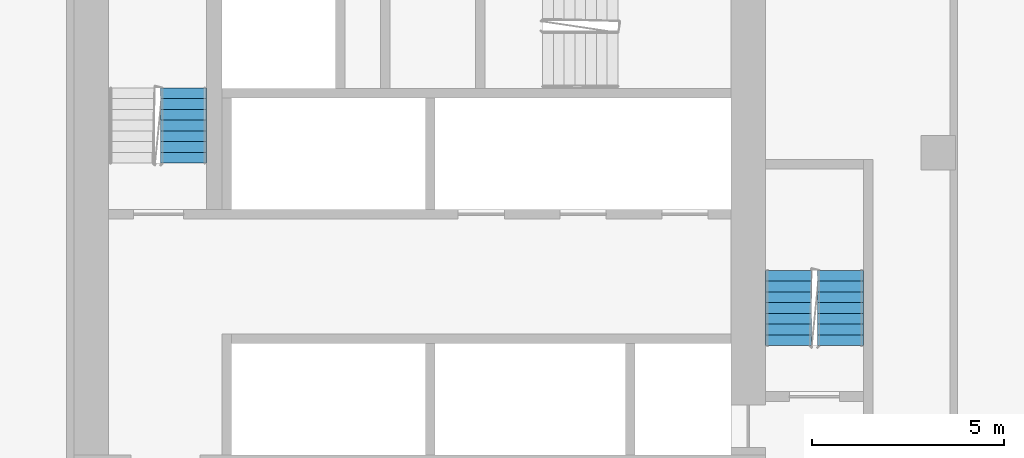
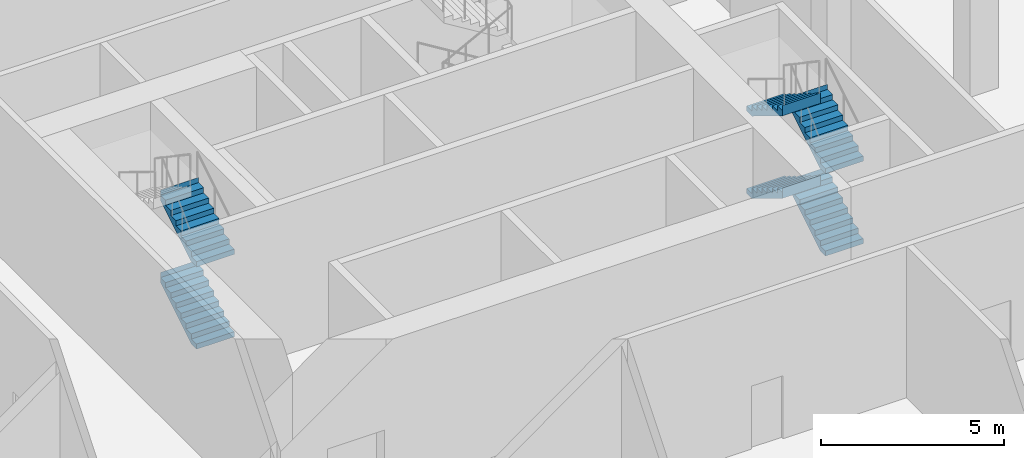
# One storey, part 17 of 21: 6 stair flights, 2 elements without a shape of their own.
"""IFC4 building model written with IfcOpenShell, lengths in metres."""

from ifc_helpers import new_model, si_unit, direction, frame, origin, place, context, subcontext, project, spatial, faceted_brep, material, type_object, element, aggregate, save


model = new_model("IFC4")

# Units and contexts
model_context = context("Model", 3, precision=1e-05, world=origin(), true_north=direction((0.0, 1.0)))
body_context = subcontext(model_context, "Body", "Model", "MODEL_VIEW")
ifc_project = project(units=[si_unit("LENGTHUNIT", "METRE"), si_unit("AREAUNIT", "SQUARE_METRE"), si_unit("VOLUMEUNIT", "CUBIC_METRE"), si_unit("PLANEANGLEUNIT", "RADIAN"), si_unit("MASSUNIT", "GRAM", prefix="KILO")], contexts=[model_context])

# Site, building, storey
site_placement = place(None, origin())
site = spatial("IfcSite", under=ifc_project, at=site_placement, CompositionType="ELEMENT")
building_placement = place(site_placement, origin())
building = spatial("IfcBuilding", under=site, at=building_placement, Name="Kajstack Hotel Tower", CompositionType="ELEMENT")
storey_placement = place(building_placement, frame((0.0, 0.0, 23.5)))
storey = spatial("IfcBuildingStorey", under=building, at=storey_placement, Name="L03", CompositionType="ELEMENT", Elevation=23.5)

# Stair, stair flights
ifc_material = material(Name="Concrete C40/50", Category="concrete")
stair_type = type_object("IfcStairType", Name="Exit stair 1200", PredefinedType="HALF_TURN_STAIR", material=ifc_material)
stair_1_placement = place(storey_placement, origin())
stair_1 = element("IfcStair", 1, at=stair_1_placement, inside=storey, type_object=stair_type, Name="L03 stair E1", PredefinedType="HALF_TURN_STAIR")
stair_flight_type = type_object("IfcStairFlightType", Name="Exit stair flight 1200", PredefinedType="STRAIGHT", material=ifc_material)
stair_flight_1_placement = place(storey_placement, frame((33.449951171875, 5.25, 0.0), z_axis=(0.0, 0.0, 1.0), x_axis=(0.0, 1.0, 0.0)))
stair_flight_1 = element("IfcStairFlight", 2, at=stair_flight_1_placement, type_object=stair_flight_type, Name="E1 flight 1", NumberOfRisers=8, NumberOfTreads=7, PredefinedType="STRAIGHT", RiserHeight=0.171875, TreadLength=0.28, context=body_context, shape_type="Brep", body=[
    faceted_brep([(0.287109375, -0.60009765625, 0.0), (1.96044921875, -0.60009765625, 1.02734375), (1.96044921875, -0.60009765625, 1.375), (1.9599609375, -0.60009765625, 1.375), (1.9599609375, -0.60009765625, 1.203125), (1.679931640625, -0.60009765625, 1.203125), (1.679931640625, -0.60009765625, 1.03125), (1.39990234375, -0.60009765625, 1.03125), (1.39990234375, -0.60009765625, 0.859375), (1.1201171875, -0.60009765625, 0.859375), (1.1201171875, -0.60009765625, 0.6875), (0.840087890625, -0.60009765625, 0.6875), (0.840087890625, -0.60009765625, 0.515625), (0.56005859375, -0.60009765625, 0.515625), (0.56005859375, -0.60009765625, 0.34375), (0.280029296875, -0.60009765625, 0.34375), (0.280029296875, -0.60009765625, 0.171875), (-0.00048828125, -0.60009765625, 0.171875), (-0.00048828125, -0.60009765625, 0.0), (-0.00048828125, 0.60009765625, 0.0), (-0.00048828125, 0.60009765625, 0.171875), (0.280029296875, 0.60009765625, 0.171875), (0.280029296875, 0.60009765625, 0.34375), (0.56005859375, 0.60009765625, 0.34375), (0.56005859375, 0.60009765625, 0.515625), (0.840087890625, 0.60009765625, 0.515625), (0.840087890625, 0.60009765625, 0.6875), (1.1201171875, 0.60009765625, 0.6875), (1.1201171875, 0.60009765625, 0.859375), (1.39990234375, 0.60009765625, 0.859375), (1.39990234375, 0.60009765625, 1.03125), (1.679931640625, 0.60009765625, 1.03125), (1.679931640625, 0.60009765625, 1.203125), (1.9599609375, 0.60009765625, 1.203125), (1.9599609375, 0.60009765625, 1.375), (1.96044921875, 0.60009765625, 1.375), (1.96044921875, 0.60009765625, 1.02734375), (0.287109375, 0.60009765625, 0.0), (-0.00048828125, -0.300048828125, 0.171875), (-0.00048828125, 0.0, 0.171875), (-0.00048828125, 0.300048828125, 0.171875), (-0.00048828125, 0.300048828125, 0.0), (-0.00048828125, 0.0, 0.0), (-0.00048828125, -0.300048828125, 0.0), (0.280029296875, -0.300048828125, 0.171875), (0.280029296875, 0.0, 0.171875), (0.280029296875, 0.300048828125, 0.171875), (0.280029296875, -0.300048828125, 0.34375), (0.280029296875, 0.0, 0.34375), (0.280029296875, 0.300048828125, 0.34375), (0.56005859375, -0.300048828125, 0.34375), (0.56005859375, 0.0, 0.34375), (0.56005859375, 0.300048828125, 0.34375), (0.56005859375, -0.300048828125, 0.515625), (0.56005859375, 0.0, 0.515625), (0.56005859375, 0.300048828125, 0.515625), (0.840087890625, -0.300048828125, 0.515625), (0.840087890625, 0.0, 0.515625), (0.840087890625, 0.300048828125, 0.515625), (0.840087890625, -0.300048828125, 0.6875), (0.840087890625, 0.0, 0.6875), (0.840087890625, 0.300048828125, 0.6875), (1.1201171875, -0.300048828125, 0.6875), (1.1201171875, 0.0, 0.6875), (1.1201171875, 0.300048828125, 0.6875), (1.1201171875, -0.300048828125, 0.859375), (1.1201171875, 0.0, 0.859375), (1.1201171875, 0.300048828125, 0.859375), (1.39990234375, -0.300048828125, 0.859375), (1.39990234375, 0.0, 0.859375), (1.39990234375, 0.300048828125, 0.859375), (1.39990234375, -0.300048828125, 1.03125), (1.39990234375, 0.0, 1.03125), (1.39990234375, 0.300048828125, 1.03125), (1.679931640625, -0.300048828125, 1.03125), (1.679931640625, 0.0, 1.03125), (1.679931640625, 0.300048828125, 1.03125), (1.679931640625, -0.300048828125, 1.203125), (1.679931640625, 0.0, 1.203125), (1.679931640625, 0.300048828125, 1.203125), (1.9599609375, -0.300048828125, 1.203125), (1.9599609375, 0.0, 1.203125), (1.9599609375, 0.300048828125, 1.203125), (1.9599609375, -0.300048828125, 1.375), (1.9599609375, 0.0, 1.375), (1.9599609375, 0.300048828125, 1.375), (1.96044921875, -0.300048828125, 1.375), (1.96044921875, 0.0, 1.375), (1.96044921875, 0.300048828125, 1.375), (1.96044921875, -0.300048828125, 1.02734375), (1.96044921875, 0.0, 1.02734375), (1.96044921875, 0.300048828125, 1.02734375), (0.287109375, -0.300048828125, 0.0), (0.287109375, 0.0, 0.0), (0.287109375, 0.300048828125, 0.0)], [[[0, 1, 2, 3, 4, 5, 6, 7, 8, 9, 10, 11, 12, 13, 14, 15, 16, 17, 18]], [[19, 20, 21, 22, 23, 24, 25, 26, 27, 28, 29, 30, 31, 32, 33, 34, 35, 36, 37]], [[17, 38, 39, 40, 20, 19, 41, 42, 43, 18]], [[16, 44, 45, 46, 21, 20, 40, 39, 38, 17]], [[15, 47, 48, 49, 22, 21, 46, 45, 44, 16]], [[14, 50, 51, 52, 23, 22, 49, 48, 47, 15]], [[13, 53, 54, 55, 24, 23, 52, 51, 50, 14]], [[12, 56, 57, 58, 25, 24, 55, 54, 53, 13]], [[11, 59, 60, 61, 26, 25, 58, 57, 56, 12]], [[10, 62, 63, 64, 27, 26, 61, 60, 59, 11]], [[9, 65, 66, 67, 28, 27, 64, 63, 62, 10]], [[8, 68, 69, 70, 29, 28, 67, 66, 65, 9]], [[7, 71, 72, 73, 30, 29, 70, 69, 68, 8]], [[6, 74, 75, 76, 31, 30, 73, 72, 71, 7]], [[5, 77, 78, 79, 32, 31, 76, 75, 74, 6]], [[4, 80, 81, 82, 33, 32, 79, 78, 77, 5]], [[3, 83, 84, 85, 34, 33, 82, 81, 80, 4]], [[2, 86, 87, 88, 35, 34, 85, 84, 83, 3]], [[1, 89, 90, 91, 36, 35, 88, 87, 86, 2]], [[0, 92, 93, 94, 37, 36, 91, 90, 89, 1]], [[18, 43, 42, 41, 19, 37, 94, 93, 92, 0]]]),
])
stair_flight_2_placement = place(storey_placement, frame((32.10009765625, 7.2099609375, 1.375), z_axis=(0.0, 0.0, 1.0), x_axis=(0.0, -1.0, 0.0)))
stair_flight_2 = element("IfcStairFlight", 3, at=stair_flight_2_placement, type_object=stair_flight_type, Name="E1 flight 2", NumberOfRisers=8, NumberOfTreads=7, PredefinedType="STRAIGHT", RiserHeight=0.171875, TreadLength=0.28, context=body_context, shape_type="Brep", body=[
    faceted_brep([(0.287109375, -0.60009765625, 0.0), (1.96044921875, -0.60009765625, 1.02734375), (1.96044921875, -0.60009765625, 1.375), (1.9599609375, -0.60009765625, 1.375), (1.9599609375, -0.60009765625, 1.203125), (1.679931640625, -0.60009765625, 1.203125), (1.679931640625, -0.60009765625, 1.03125), (1.39990234375, -0.60009765625, 1.03125), (1.39990234375, -0.60009765625, 0.859375), (1.1201171875, -0.60009765625, 0.859375), (1.1201171875, -0.60009765625, 0.6875), (0.840087890625, -0.60009765625, 0.6875), (0.840087890625, -0.60009765625, 0.515625), (0.56005859375, -0.60009765625, 0.515625), (0.56005859375, -0.60009765625, 0.34375), (0.280029296875, -0.60009765625, 0.34375), (0.280029296875, -0.60009765625, 0.171875), (-0.00048828125, -0.60009765625, 0.171875), (-0.00048828125, -0.60009765625, 0.0), (-0.00048828125, 0.60009765625, 0.0), (-0.00048828125, 0.60009765625, 0.171875), (0.280029296875, 0.60009765625, 0.171875), (0.280029296875, 0.60009765625, 0.34375), (0.56005859375, 0.60009765625, 0.34375), (0.56005859375, 0.60009765625, 0.515625), (0.840087890625, 0.60009765625, 0.515625), (0.840087890625, 0.60009765625, 0.6875), (1.1201171875, 0.60009765625, 0.6875), (1.1201171875, 0.60009765625, 0.859375), (1.39990234375, 0.60009765625, 0.859375), (1.39990234375, 0.60009765625, 1.03125), (1.679931640625, 0.60009765625, 1.03125), (1.679931640625, 0.60009765625, 1.203125), (1.9599609375, 0.60009765625, 1.203125), (1.9599609375, 0.60009765625, 1.375), (1.96044921875, 0.60009765625, 1.375), (1.96044921875, 0.60009765625, 1.02734375), (0.287109375, 0.60009765625, 0.0), (-0.00048828125, -0.300048828125, 0.171875), (-0.00048828125, 0.0, 0.171875), (-0.00048828125, 0.300048828125, 0.171875), (-0.00048828125, 0.300048828125, 0.0), (-0.00048828125, 0.0, 0.0), (-0.00048828125, -0.300048828125, 0.0), (0.280029296875, -0.300048828125, 0.171875), (0.280029296875, 0.0, 0.171875), (0.280029296875, 0.300048828125, 0.171875), (0.280029296875, -0.300048828125, 0.34375), (0.280029296875, 0.0, 0.34375), (0.280029296875, 0.300048828125, 0.34375), (0.56005859375, -0.300048828125, 0.34375), (0.56005859375, 0.0, 0.34375), (0.56005859375, 0.300048828125, 0.34375), (0.56005859375, -0.300048828125, 0.515625), (0.56005859375, 0.0, 0.515625), (0.56005859375, 0.300048828125, 0.515625), (0.840087890625, -0.300048828125, 0.515625), (0.840087890625, 0.0, 0.515625), (0.840087890625, 0.300048828125, 0.515625), (0.840087890625, -0.300048828125, 0.6875), (0.840087890625, 0.0, 0.6875), (0.840087890625, 0.300048828125, 0.6875), (1.1201171875, -0.300048828125, 0.6875), (1.1201171875, 0.0, 0.6875), (1.1201171875, 0.300048828125, 0.6875), (1.1201171875, -0.300048828125, 0.859375), (1.1201171875, 0.0, 0.859375), (1.1201171875, 0.300048828125, 0.859375), (1.39990234375, -0.300048828125, 0.859375), (1.39990234375, 0.0, 0.859375), (1.39990234375, 0.300048828125, 0.859375), (1.39990234375, -0.300048828125, 1.03125), (1.39990234375, 0.0, 1.03125), (1.39990234375, 0.300048828125, 1.03125), (1.679931640625, -0.300048828125, 1.03125), (1.679931640625, 0.0, 1.03125), (1.679931640625, 0.300048828125, 1.03125), (1.679931640625, -0.300048828125, 1.203125), (1.679931640625, 0.0, 1.203125), (1.679931640625, 0.300048828125, 1.203125), (1.9599609375, -0.300048828125, 1.203125), (1.9599609375, 0.0, 1.203125), (1.9599609375, 0.300048828125, 1.203125), (1.9599609375, -0.300048828125, 1.375), (1.9599609375, 0.0, 1.375), (1.9599609375, 0.300048828125, 1.375), (1.96044921875, -0.300048828125, 1.375), (1.96044921875, 0.0, 1.375), (1.96044921875, 0.300048828125, 1.375), (1.96044921875, -0.300048828125, 1.02734375), (1.96044921875, 0.0, 1.02734375), (1.96044921875, 0.300048828125, 1.02734375), (0.287109375, -0.300048828125, 0.0), (0.287109375, 0.0, 0.0), (0.287109375, 0.300048828125, 0.0)], [[[0, 1, 2, 3, 4, 5, 6, 7, 8, 9, 10, 11, 12, 13, 14, 15, 16, 17, 18]], [[19, 20, 21, 22, 23, 24, 25, 26, 27, 28, 29, 30, 31, 32, 33, 34, 35, 36, 37]], [[17, 38, 39, 40, 20, 19, 41, 42, 43, 18]], [[16, 44, 45, 46, 21, 20, 40, 39, 38, 17]], [[15, 47, 48, 49, 22, 21, 46, 45, 44, 16]], [[14, 50, 51, 52, 23, 22, 49, 48, 47, 15]], [[13, 53, 54, 55, 24, 23, 52, 51, 50, 14]], [[12, 56, 57, 58, 25, 24, 55, 54, 53, 13]], [[11, 59, 60, 61, 26, 25, 58, 57, 56, 12]], [[10, 62, 63, 64, 27, 26, 61, 60, 59, 11]], [[9, 65, 66, 67, 28, 27, 64, 63, 62, 10]], [[8, 68, 69, 70, 29, 28, 67, 66, 65, 9]], [[7, 71, 72, 73, 30, 29, 70, 69, 68, 8]], [[6, 74, 75, 76, 31, 30, 73, 72, 71, 7]], [[5, 77, 78, 79, 32, 31, 76, 75, 74, 6]], [[4, 80, 81, 82, 33, 32, 79, 78, 77, 5]], [[3, 83, 84, 85, 34, 33, 82, 81, 80, 4]], [[2, 86, 87, 88, 35, 34, 85, 84, 83, 3]], [[1, 89, 90, 91, 36, 35, 88, 87, 86, 2]], [[0, 92, 93, 94, 37, 36, 91, 90, 89, 1]], [[18, 43, 42, 41, 19, 37, 94, 93, 92, 0]]]),
])
stair_flight_3_placement = place(storey_placement, frame((33.449951171875, 5.25, 2.75), z_axis=(0.0, 0.0, 1.0), x_axis=(0.0, 1.0, 0.0)))
stair_flight_3 = element("IfcStairFlight", 4, at=stair_flight_3_placement, type_object=stair_flight_type, Name="E1 flight 3", NumberOfRisers=8, NumberOfTreads=7, PredefinedType="STRAIGHT", RiserHeight=0.171875, TreadLength=0.28, context=body_context, shape_type="Brep", body=[
    faceted_brep([(0.287109375, -0.60009765625, 0.0), (1.96044921875, -0.60009765625, 1.02734375), (1.96044921875, -0.60009765625, 1.375), (1.9599609375, -0.60009765625, 1.375), (1.9599609375, -0.60009765625, 1.203125), (1.679931640625, -0.60009765625, 1.203125), (1.679931640625, -0.60009765625, 1.03125), (1.39990234375, -0.60009765625, 1.03125), (1.39990234375, -0.60009765625, 0.859375), (1.1201171875, -0.60009765625, 0.859375), (1.1201171875, -0.60009765625, 0.6875), (0.840087890625, -0.60009765625, 0.6875), (0.840087890625, -0.60009765625, 0.515625), (0.56005859375, -0.60009765625, 0.515625), (0.56005859375, -0.60009765625, 0.34375), (0.280029296875, -0.60009765625, 0.34375), (0.280029296875, -0.60009765625, 0.171875), (-0.00048828125, -0.60009765625, 0.171875), (-0.00048828125, -0.60009765625, 0.0), (-0.00048828125, 0.60009765625, 0.0), (-0.00048828125, 0.60009765625, 0.171875), (0.280029296875, 0.60009765625, 0.171875), (0.280029296875, 0.60009765625, 0.34375), (0.56005859375, 0.60009765625, 0.34375), (0.56005859375, 0.60009765625, 0.515625), (0.840087890625, 0.60009765625, 0.515625), (0.840087890625, 0.60009765625, 0.6875), (1.1201171875, 0.60009765625, 0.6875), (1.1201171875, 0.60009765625, 0.859375), (1.39990234375, 0.60009765625, 0.859375), (1.39990234375, 0.60009765625, 1.03125), (1.679931640625, 0.60009765625, 1.03125), (1.679931640625, 0.60009765625, 1.203125), (1.9599609375, 0.60009765625, 1.203125), (1.9599609375, 0.60009765625, 1.375), (1.96044921875, 0.60009765625, 1.375), (1.96044921875, 0.60009765625, 1.02734375), (0.287109375, 0.60009765625, 0.0), (-0.00048828125, -0.300048828125, 0.171875), (-0.00048828125, 0.0, 0.171875), (-0.00048828125, 0.300048828125, 0.171875), (-0.00048828125, 0.300048828125, 0.0), (-0.00048828125, 0.0, 0.0), (-0.00048828125, -0.300048828125, 0.0), (0.280029296875, -0.300048828125, 0.171875), (0.280029296875, 0.0, 0.171875), (0.280029296875, 0.300048828125, 0.171875), (0.280029296875, -0.300048828125, 0.34375), (0.280029296875, 0.0, 0.34375), (0.280029296875, 0.300048828125, 0.34375), (0.56005859375, -0.300048828125, 0.34375), (0.56005859375, 0.0, 0.34375), (0.56005859375, 0.300048828125, 0.34375), (0.56005859375, -0.300048828125, 0.515625), (0.56005859375, 0.0, 0.515625), (0.56005859375, 0.300048828125, 0.515625), (0.840087890625, -0.300048828125, 0.515625), (0.840087890625, 0.0, 0.515625), (0.840087890625, 0.300048828125, 0.515625), (0.840087890625, -0.300048828125, 0.6875), (0.840087890625, 0.0, 0.6875), (0.840087890625, 0.300048828125, 0.6875), (1.1201171875, -0.300048828125, 0.6875), (1.1201171875, 0.0, 0.6875), (1.1201171875, 0.300048828125, 0.6875), (1.1201171875, -0.300048828125, 0.859375), (1.1201171875, 0.0, 0.859375), (1.1201171875, 0.300048828125, 0.859375), (1.39990234375, -0.300048828125, 0.859375), (1.39990234375, 0.0, 0.859375), (1.39990234375, 0.300048828125, 0.859375), (1.39990234375, -0.300048828125, 1.03125), (1.39990234375, 0.0, 1.03125), (1.39990234375, 0.300048828125, 1.03125), (1.679931640625, -0.300048828125, 1.03125), (1.679931640625, 0.0, 1.03125), (1.679931640625, 0.300048828125, 1.03125), (1.679931640625, -0.300048828125, 1.203125), (1.679931640625, 0.0, 1.203125), (1.679931640625, 0.300048828125, 1.203125), (1.9599609375, -0.300048828125, 1.203125), (1.9599609375, 0.0, 1.203125), (1.9599609375, 0.300048828125, 1.203125), (1.9599609375, -0.300048828125, 1.375), (1.9599609375, 0.0, 1.375), (1.9599609375, 0.300048828125, 1.375), (1.96044921875, -0.300048828125, 1.375), (1.96044921875, 0.0, 1.375), (1.96044921875, 0.300048828125, 1.375), (1.96044921875, -0.300048828125, 1.02734375), (1.96044921875, 0.0, 1.02734375), (1.96044921875, 0.300048828125, 1.02734375), (0.287109375, -0.300048828125, 0.0), (0.287109375, 0.0, 0.0), (0.287109375, 0.300048828125, 0.0)], [[[0, 1, 2, 3, 4, 5, 6, 7, 8, 9, 10, 11, 12, 13, 14, 15, 16, 17, 18]], [[19, 20, 21, 22, 23, 24, 25, 26, 27, 28, 29, 30, 31, 32, 33, 34, 35, 36, 37]], [[17, 38, 39, 40, 20, 19, 41, 42, 43, 18]], [[16, 44, 45, 46, 21, 20, 40, 39, 38, 17]], [[15, 47, 48, 49, 22, 21, 46, 45, 44, 16]], [[14, 50, 51, 52, 23, 22, 49, 48, 47, 15]], [[13, 53, 54, 55, 24, 23, 52, 51, 50, 14]], [[12, 56, 57, 58, 25, 24, 55, 54, 53, 13]], [[11, 59, 60, 61, 26, 25, 58, 57, 56, 12]], [[10, 62, 63, 64, 27, 26, 61, 60, 59, 11]], [[9, 65, 66, 67, 28, 27, 64, 63, 62, 10]], [[8, 68, 69, 70, 29, 28, 67, 66, 65, 9]], [[7, 71, 72, 73, 30, 29, 70, 69, 68, 8]], [[6, 74, 75, 76, 31, 30, 73, 72, 71, 7]], [[5, 77, 78, 79, 32, 31, 76, 75, 74, 6]], [[4, 80, 81, 82, 33, 32, 79, 78, 77, 5]], [[3, 83, 84, 85, 34, 33, 82, 81, 80, 4]], [[2, 86, 87, 88, 35, 34, 85, 84, 83, 3]], [[1, 89, 90, 91, 36, 35, 88, 87, 86, 2]], [[0, 92, 93, 94, 37, 36, 91, 90, 89, 1]], [[18, 43, 42, 41, 19, 37, 94, 93, 92, 0]]]),
])
stair_flight_4_placement = place(storey_placement, frame((32.10009765625, 7.2099609375, 4.125), z_axis=(0.0, 0.0, 1.0), x_axis=(0.0, -1.0, 0.0)))
stair_flight_4 = element("IfcStairFlight", 5, at=stair_flight_4_placement, type_object=stair_flight_type, Name="E1 flight 4", NumberOfRisers=8, NumberOfTreads=7, PredefinedType="STRAIGHT", RiserHeight=0.171875, TreadLength=0.28, context=body_context, shape_type="Brep", body=[
    faceted_brep([(0.287109375, -0.60009765625, 0.0), (1.96044921875, -0.60009765625, 1.02734375), (1.96044921875, -0.60009765625, 1.375), (1.9599609375, -0.60009765625, 1.375), (1.9599609375, -0.60009765625, 1.203125), (1.679931640625, -0.60009765625, 1.203125), (1.679931640625, -0.60009765625, 1.03125), (1.39990234375, -0.60009765625, 1.03125), (1.39990234375, -0.60009765625, 0.859375), (1.1201171875, -0.60009765625, 0.859375), (1.1201171875, -0.60009765625, 0.6875), (0.840087890625, -0.60009765625, 0.6875), (0.840087890625, -0.60009765625, 0.515625), (0.56005859375, -0.60009765625, 0.515625), (0.56005859375, -0.60009765625, 0.34375), (0.280029296875, -0.60009765625, 0.34375), (0.280029296875, -0.60009765625, 0.171875), (-0.00048828125, -0.60009765625, 0.171875), (-0.00048828125, -0.60009765625, 0.0), (-0.00048828125, 0.60009765625, 0.0), (-0.00048828125, 0.60009765625, 0.171875), (0.280029296875, 0.60009765625, 0.171875), (0.280029296875, 0.60009765625, 0.34375), (0.56005859375, 0.60009765625, 0.34375), (0.56005859375, 0.60009765625, 0.515625), (0.840087890625, 0.60009765625, 0.515625), (0.840087890625, 0.60009765625, 0.6875), (1.1201171875, 0.60009765625, 0.6875), (1.1201171875, 0.60009765625, 0.859375), (1.39990234375, 0.60009765625, 0.859375), (1.39990234375, 0.60009765625, 1.03125), (1.679931640625, 0.60009765625, 1.03125), (1.679931640625, 0.60009765625, 1.203125), (1.9599609375, 0.60009765625, 1.203125), (1.9599609375, 0.60009765625, 1.375), (1.96044921875, 0.60009765625, 1.375), (1.96044921875, 0.60009765625, 1.02734375), (0.287109375, 0.60009765625, 0.0), (-0.00048828125, -0.300048828125, 0.171875), (-0.00048828125, 0.0, 0.171875), (-0.00048828125, 0.300048828125, 0.171875), (-0.00048828125, 0.300048828125, 0.0), (-0.00048828125, 0.0, 0.0), (-0.00048828125, -0.300048828125, 0.0), (0.280029296875, -0.300048828125, 0.171875), (0.280029296875, 0.0, 0.171875), (0.280029296875, 0.300048828125, 0.171875), (0.280029296875, -0.300048828125, 0.34375), (0.280029296875, 0.0, 0.34375), (0.280029296875, 0.300048828125, 0.34375), (0.56005859375, -0.300048828125, 0.34375), (0.56005859375, 0.0, 0.34375), (0.56005859375, 0.300048828125, 0.34375), (0.56005859375, -0.300048828125, 0.515625), (0.56005859375, 0.0, 0.515625), (0.56005859375, 0.300048828125, 0.515625), (0.840087890625, -0.300048828125, 0.515625), (0.840087890625, 0.0, 0.515625), (0.840087890625, 0.300048828125, 0.515625), (0.840087890625, -0.300048828125, 0.6875), (0.840087890625, 0.0, 0.6875), (0.840087890625, 0.300048828125, 0.6875), (1.1201171875, -0.300048828125, 0.6875), (1.1201171875, 0.0, 0.6875), (1.1201171875, 0.300048828125, 0.6875), (1.1201171875, -0.300048828125, 0.859375), (1.1201171875, 0.0, 0.859375), (1.1201171875, 0.300048828125, 0.859375), (1.39990234375, -0.300048828125, 0.859375), (1.39990234375, 0.0, 0.859375), (1.39990234375, 0.300048828125, 0.859375), (1.39990234375, -0.300048828125, 1.03125), (1.39990234375, 0.0, 1.03125), (1.39990234375, 0.300048828125, 1.03125), (1.679931640625, -0.300048828125, 1.03125), (1.679931640625, 0.0, 1.03125), (1.679931640625, 0.300048828125, 1.03125), (1.679931640625, -0.300048828125, 1.203125), (1.679931640625, 0.0, 1.203125), (1.679931640625, 0.300048828125, 1.203125), (1.9599609375, -0.300048828125, 1.203125), (1.9599609375, 0.0, 1.203125), (1.9599609375, 0.300048828125, 1.203125), (1.9599609375, -0.300048828125, 1.375), (1.9599609375, 0.0, 1.375), (1.9599609375, 0.300048828125, 1.375), (1.96044921875, -0.300048828125, 1.375), (1.96044921875, 0.0, 1.375), (1.96044921875, 0.300048828125, 1.375), (1.96044921875, -0.300048828125, 1.02734375), (1.96044921875, 0.0, 1.02734375), (1.96044921875, 0.300048828125, 1.02734375), (0.287109375, -0.300048828125, 0.0), (0.287109375, 0.0, 0.0), (0.287109375, 0.300048828125, 0.0)], [[[0, 1, 2, 3, 4, 5, 6, 7, 8, 9, 10, 11, 12, 13, 14, 15, 16, 17, 18]], [[19, 20, 21, 22, 23, 24, 25, 26, 27, 28, 29, 30, 31, 32, 33, 34, 35, 36, 37]], [[17, 38, 39, 40, 20, 19, 41, 42, 43, 18]], [[16, 44, 45, 46, 21, 20, 40, 39, 38, 17]], [[15, 47, 48, 49, 22, 21, 46, 45, 44, 16]], [[14, 50, 51, 52, 23, 22, 49, 48, 47, 15]], [[13, 53, 54, 55, 24, 23, 52, 51, 50, 14]], [[12, 56, 57, 58, 25, 24, 55, 54, 53, 13]], [[11, 59, 60, 61, 26, 25, 58, 57, 56, 12]], [[10, 62, 63, 64, 27, 26, 61, 60, 59, 11]], [[9, 65, 66, 67, 28, 27, 64, 63, 62, 10]], [[8, 68, 69, 70, 29, 28, 67, 66, 65, 9]], [[7, 71, 72, 73, 30, 29, 70, 69, 68, 8]], [[6, 74, 75, 76, 31, 30, 73, 72, 71, 7]], [[5, 77, 78, 79, 32, 31, 76, 75, 74, 6]], [[4, 80, 81, 82, 33, 32, 79, 78, 77, 5]], [[3, 83, 84, 85, 34, 33, 82, 81, 80, 4]], [[2, 86, 87, 88, 35, 34, 85, 84, 83, 3]], [[1, 89, 90, 91, 36, 35, 88, 87, 86, 2]], [[0, 92, 93, 94, 37, 36, 91, 90, 89, 1]], [[18, 43, 42, 41, 19, 37, 94, 93, 92, 0]]]),
])
aggregate(stair_1, [stair_flight_1, stair_flight_2, stair_flight_3, stair_flight_4])

stair_2_placement = place(storey_placement, origin())
stair_2 = element("IfcStair", 6, at=stair_2_placement, inside=storey, type_object=stair_type, Name="L03 stair E2", PredefinedType="HALF_TURN_STAIR")
stair_flight_5_placement = place(storey_placement, frame((16.35009765625, 10.0, 0.0), z_axis=(0.0, 0.0, 1.0), x_axis=(0.0, 1.0, 0.0)))
stair_flight_5 = element("IfcStairFlight", 7, at=stair_flight_5_placement, type_object=stair_flight_type, Name="E2 flight 1", NumberOfRisers=8, NumberOfTreads=7, PredefinedType="STRAIGHT", RiserHeight=0.171875, TreadLength=0.28, context=body_context, shape_type="Brep", body=[
    faceted_brep([(0.287109375, -0.60009765625, 0.0), (1.96044921875, -0.60009765625, 1.02734375), (1.96044921875, -0.60009765625, 1.375), (1.9599609375, -0.60009765625, 1.375), (1.9599609375, -0.60009765625, 1.203125), (1.679931640625, -0.60009765625, 1.203125), (1.679931640625, -0.60009765625, 1.03125), (1.39990234375, -0.60009765625, 1.03125), (1.39990234375, -0.60009765625, 0.859375), (1.1201171875, -0.60009765625, 0.859375), (1.1201171875, -0.60009765625, 0.6875), (0.840087890625, -0.60009765625, 0.6875), (0.840087890625, -0.60009765625, 0.515625), (0.56005859375, -0.60009765625, 0.515625), (0.56005859375, -0.60009765625, 0.34375), (0.280029296875, -0.60009765625, 0.34375), (0.280029296875, -0.60009765625, 0.171875), (-0.00048828125, -0.60009765625, 0.171875), (-0.00048828125, -0.60009765625, 0.0), (-0.00048828125, 0.60009765625, 0.0), (-0.00048828125, 0.60009765625, 0.171875), (0.280029296875, 0.60009765625, 0.171875), (0.280029296875, 0.60009765625, 0.34375), (0.56005859375, 0.60009765625, 0.34375), (0.56005859375, 0.60009765625, 0.515625), (0.840087890625, 0.60009765625, 0.515625), (0.840087890625, 0.60009765625, 0.6875), (1.1201171875, 0.60009765625, 0.6875), (1.1201171875, 0.60009765625, 0.859375), (1.39990234375, 0.60009765625, 0.859375), (1.39990234375, 0.60009765625, 1.03125), (1.679931640625, 0.60009765625, 1.03125), (1.679931640625, 0.60009765625, 1.203125), (1.9599609375, 0.60009765625, 1.203125), (1.9599609375, 0.60009765625, 1.375), (1.96044921875, 0.60009765625, 1.375), (1.96044921875, 0.60009765625, 1.02734375), (0.287109375, 0.60009765625, 0.0), (-0.00048828125, -0.300048828125, 0.171875), (-0.00048828125, 0.0, 0.171875), (-0.00048828125, 0.300048828125, 0.171875), (-0.00048828125, 0.300048828125, 0.0), (-0.00048828125, 0.0, 0.0), (-0.00048828125, -0.300048828125, 0.0), (0.280029296875, -0.300048828125, 0.171875), (0.280029296875, 0.0, 0.171875), (0.280029296875, 0.300048828125, 0.171875), (0.280029296875, -0.300048828125, 0.34375), (0.280029296875, 0.0, 0.34375), (0.280029296875, 0.300048828125, 0.34375), (0.56005859375, -0.300048828125, 0.34375), (0.56005859375, 0.0, 0.34375), (0.56005859375, 0.300048828125, 0.34375), (0.56005859375, -0.300048828125, 0.515625), (0.56005859375, 0.0, 0.515625), (0.56005859375, 0.300048828125, 0.515625), (0.840087890625, -0.300048828125, 0.515625), (0.840087890625, 0.0, 0.515625), (0.840087890625, 0.300048828125, 0.515625), (0.840087890625, -0.300048828125, 0.6875), (0.840087890625, 0.0, 0.6875), (0.840087890625, 0.300048828125, 0.6875), (1.1201171875, -0.300048828125, 0.6875), (1.1201171875, 0.0, 0.6875), (1.1201171875, 0.300048828125, 0.6875), (1.1201171875, -0.300048828125, 0.859375), (1.1201171875, 0.0, 0.859375), (1.1201171875, 0.300048828125, 0.859375), (1.39990234375, -0.300048828125, 0.859375), (1.39990234375, 0.0, 0.859375), (1.39990234375, 0.300048828125, 0.859375), (1.39990234375, -0.300048828125, 1.03125), (1.39990234375, 0.0, 1.03125), (1.39990234375, 0.300048828125, 1.03125), (1.679931640625, -0.300048828125, 1.03125), (1.679931640625, 0.0, 1.03125), (1.679931640625, 0.300048828125, 1.03125), (1.679931640625, -0.300048828125, 1.203125), (1.679931640625, 0.0, 1.203125), (1.679931640625, 0.300048828125, 1.203125), (1.9599609375, -0.300048828125, 1.203125), (1.9599609375, 0.0, 1.203125), (1.9599609375, 0.300048828125, 1.203125), (1.9599609375, -0.300048828125, 1.375), (1.9599609375, 0.0, 1.375), (1.9599609375, 0.300048828125, 1.375), (1.96044921875, -0.300048828125, 1.375), (1.96044921875, 0.0, 1.375), (1.96044921875, 0.300048828125, 1.375), (1.96044921875, -0.300048828125, 1.02734375), (1.96044921875, 0.0, 1.02734375), (1.96044921875, 0.300048828125, 1.02734375), (0.287109375, -0.300048828125, 0.0), (0.287109375, 0.0, 0.0), (0.287109375, 0.300048828125, 0.0)], [[[0, 1, 2, 3, 4, 5, 6, 7, 8, 9, 10, 11, 12, 13, 14, 15, 16, 17, 18]], [[19, 20, 21, 22, 23, 24, 25, 26, 27, 28, 29, 30, 31, 32, 33, 34, 35, 36, 37]], [[17, 38, 39, 40, 20, 19, 41, 42, 43, 18]], [[16, 44, 45, 46, 21, 20, 40, 39, 38, 17]], [[15, 47, 48, 49, 22, 21, 46, 45, 44, 16]], [[14, 50, 51, 52, 23, 22, 49, 48, 47, 15]], [[13, 53, 54, 55, 24, 23, 52, 51, 50, 14]], [[12, 56, 57, 58, 25, 24, 55, 54, 53, 13]], [[11, 59, 60, 61, 26, 25, 58, 57, 56, 12]], [[10, 62, 63, 64, 27, 26, 61, 60, 59, 11]], [[9, 65, 66, 67, 28, 27, 64, 63, 62, 10]], [[8, 68, 69, 70, 29, 28, 67, 66, 65, 9]], [[7, 71, 72, 73, 30, 29, 70, 69, 68, 8]], [[6, 74, 75, 76, 31, 30, 73, 72, 71, 7]], [[5, 77, 78, 79, 32, 31, 76, 75, 74, 6]], [[4, 80, 81, 82, 33, 32, 79, 78, 77, 5]], [[3, 83, 84, 85, 34, 33, 82, 81, 80, 4]], [[2, 86, 87, 88, 35, 34, 85, 84, 83, 3]], [[1, 89, 90, 91, 36, 35, 88, 87, 86, 2]], [[0, 92, 93, 94, 37, 36, 91, 90, 89, 1]], [[18, 43, 42, 41, 19, 37, 94, 93, 92, 0]]]),
])
stair_flight_6_placement = place(storey_placement, frame((16.35009765625, 10.0, 2.75), z_axis=(0.0, 0.0, 1.0), x_axis=(0.0, 1.0, 0.0)))
stair_flight_6 = element("IfcStairFlight", 8, at=stair_flight_6_placement, type_object=stair_flight_type, Name="E2 flight 3", NumberOfRisers=8, NumberOfTreads=7, PredefinedType="STRAIGHT", RiserHeight=0.171875, TreadLength=0.28, context=body_context, shape_type="Brep", body=[
    faceted_brep([(0.287109375, -0.60009765625, 0.0), (1.96044921875, -0.60009765625, 1.02734375), (1.96044921875, -0.60009765625, 1.375), (1.9599609375, -0.60009765625, 1.375), (1.9599609375, -0.60009765625, 1.203125), (1.679931640625, -0.60009765625, 1.203125), (1.679931640625, -0.60009765625, 1.03125), (1.39990234375, -0.60009765625, 1.03125), (1.39990234375, -0.60009765625, 0.859375), (1.1201171875, -0.60009765625, 0.859375), (1.1201171875, -0.60009765625, 0.6875), (0.840087890625, -0.60009765625, 0.6875), (0.840087890625, -0.60009765625, 0.515625), (0.56005859375, -0.60009765625, 0.515625), (0.56005859375, -0.60009765625, 0.34375), (0.280029296875, -0.60009765625, 0.34375), (0.280029296875, -0.60009765625, 0.171875), (-0.00048828125, -0.60009765625, 0.171875), (-0.00048828125, -0.60009765625, 0.0), (-0.00048828125, 0.60009765625, 0.0), (-0.00048828125, 0.60009765625, 0.171875), (0.280029296875, 0.60009765625, 0.171875), (0.280029296875, 0.60009765625, 0.34375), (0.56005859375, 0.60009765625, 0.34375), (0.56005859375, 0.60009765625, 0.515625), (0.840087890625, 0.60009765625, 0.515625), (0.840087890625, 0.60009765625, 0.6875), (1.1201171875, 0.60009765625, 0.6875), (1.1201171875, 0.60009765625, 0.859375), (1.39990234375, 0.60009765625, 0.859375), (1.39990234375, 0.60009765625, 1.03125), (1.679931640625, 0.60009765625, 1.03125), (1.679931640625, 0.60009765625, 1.203125), (1.9599609375, 0.60009765625, 1.203125), (1.9599609375, 0.60009765625, 1.375), (1.96044921875, 0.60009765625, 1.375), (1.96044921875, 0.60009765625, 1.02734375), (0.287109375, 0.60009765625, 0.0), (-0.00048828125, -0.300048828125, 0.171875), (-0.00048828125, 0.0, 0.171875), (-0.00048828125, 0.300048828125, 0.171875), (-0.00048828125, 0.300048828125, 0.0), (-0.00048828125, 0.0, 0.0), (-0.00048828125, -0.300048828125, 0.0), (0.280029296875, -0.300048828125, 0.171875), (0.280029296875, 0.0, 0.171875), (0.280029296875, 0.300048828125, 0.171875), (0.280029296875, -0.300048828125, 0.34375), (0.280029296875, 0.0, 0.34375), (0.280029296875, 0.300048828125, 0.34375), (0.56005859375, -0.300048828125, 0.34375), (0.56005859375, 0.0, 0.34375), (0.56005859375, 0.300048828125, 0.34375), (0.56005859375, -0.300048828125, 0.515625), (0.56005859375, 0.0, 0.515625), (0.56005859375, 0.300048828125, 0.515625), (0.840087890625, -0.300048828125, 0.515625), (0.840087890625, 0.0, 0.515625), (0.840087890625, 0.300048828125, 0.515625), (0.840087890625, -0.300048828125, 0.6875), (0.840087890625, 0.0, 0.6875), (0.840087890625, 0.300048828125, 0.6875), (1.1201171875, -0.300048828125, 0.6875), (1.1201171875, 0.0, 0.6875), (1.1201171875, 0.300048828125, 0.6875), (1.1201171875, -0.300048828125, 0.859375), (1.1201171875, 0.0, 0.859375), (1.1201171875, 0.300048828125, 0.859375), (1.39990234375, -0.300048828125, 0.859375), (1.39990234375, 0.0, 0.859375), (1.39990234375, 0.300048828125, 0.859375), (1.39990234375, -0.300048828125, 1.03125), (1.39990234375, 0.0, 1.03125), (1.39990234375, 0.300048828125, 1.03125), (1.679931640625, -0.300048828125, 1.03125), (1.679931640625, 0.0, 1.03125), (1.679931640625, 0.300048828125, 1.03125), (1.679931640625, -0.300048828125, 1.203125), (1.679931640625, 0.0, 1.203125), (1.679931640625, 0.300048828125, 1.203125), (1.9599609375, -0.300048828125, 1.203125), (1.9599609375, 0.0, 1.203125), (1.9599609375, 0.300048828125, 1.203125), (1.9599609375, -0.300048828125, 1.375), (1.9599609375, 0.0, 1.375), (1.9599609375, 0.300048828125, 1.375), (1.96044921875, -0.300048828125, 1.375), (1.96044921875, 0.0, 1.375), (1.96044921875, 0.300048828125, 1.375), (1.96044921875, -0.300048828125, 1.02734375), (1.96044921875, 0.0, 1.02734375), (1.96044921875, 0.300048828125, 1.02734375), (0.287109375, -0.300048828125, 0.0), (0.287109375, 0.0, 0.0), (0.287109375, 0.300048828125, 0.0)], [[[0, 1, 2, 3, 4, 5, 6, 7, 8, 9, 10, 11, 12, 13, 14, 15, 16, 17, 18]], [[19, 20, 21, 22, 23, 24, 25, 26, 27, 28, 29, 30, 31, 32, 33, 34, 35, 36, 37]], [[17, 38, 39, 40, 20, 19, 41, 42, 43, 18]], [[16, 44, 45, 46, 21, 20, 40, 39, 38, 17]], [[15, 47, 48, 49, 22, 21, 46, 45, 44, 16]], [[14, 50, 51, 52, 23, 22, 49, 48, 47, 15]], [[13, 53, 54, 55, 24, 23, 52, 51, 50, 14]], [[12, 56, 57, 58, 25, 24, 55, 54, 53, 13]], [[11, 59, 60, 61, 26, 25, 58, 57, 56, 12]], [[10, 62, 63, 64, 27, 26, 61, 60, 59, 11]], [[9, 65, 66, 67, 28, 27, 64, 63, 62, 10]], [[8, 68, 69, 70, 29, 28, 67, 66, 65, 9]], [[7, 71, 72, 73, 30, 29, 70, 69, 68, 8]], [[6, 74, 75, 76, 31, 30, 73, 72, 71, 7]], [[5, 77, 78, 79, 32, 31, 76, 75, 74, 6]], [[4, 80, 81, 82, 33, 32, 79, 78, 77, 5]], [[3, 83, 84, 85, 34, 33, 82, 81, 80, 4]], [[2, 86, 87, 88, 35, 34, 85, 84, 83, 3]], [[1, 89, 90, 91, 36, 35, 88, 87, 86, 2]], [[0, 92, 93, 94, 37, 36, 91, 90, 89, 1]], [[18, 43, 42, 41, 19, 37, 94, 93, 92, 0]]]),
])
aggregate(stair_2, [stair_flight_5, stair_flight_6])

save(model, "model.ifc")
